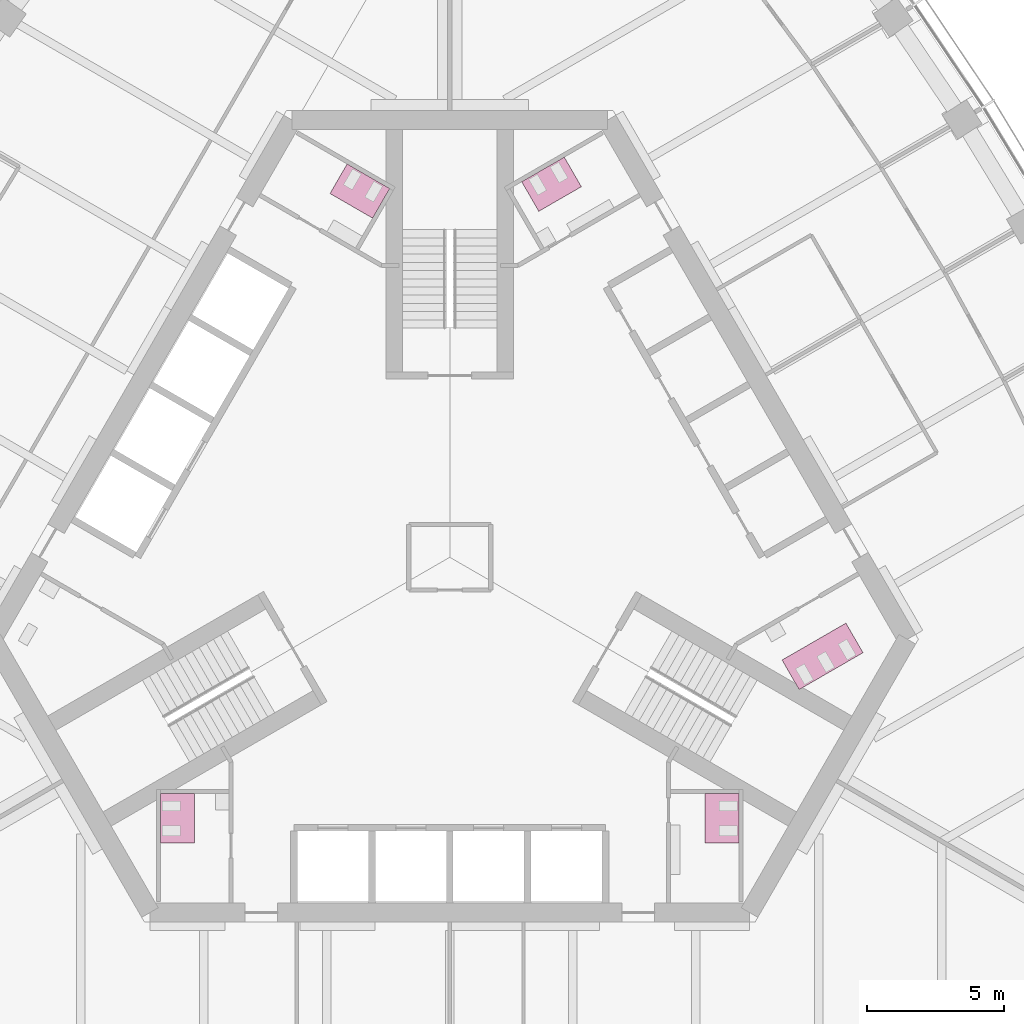
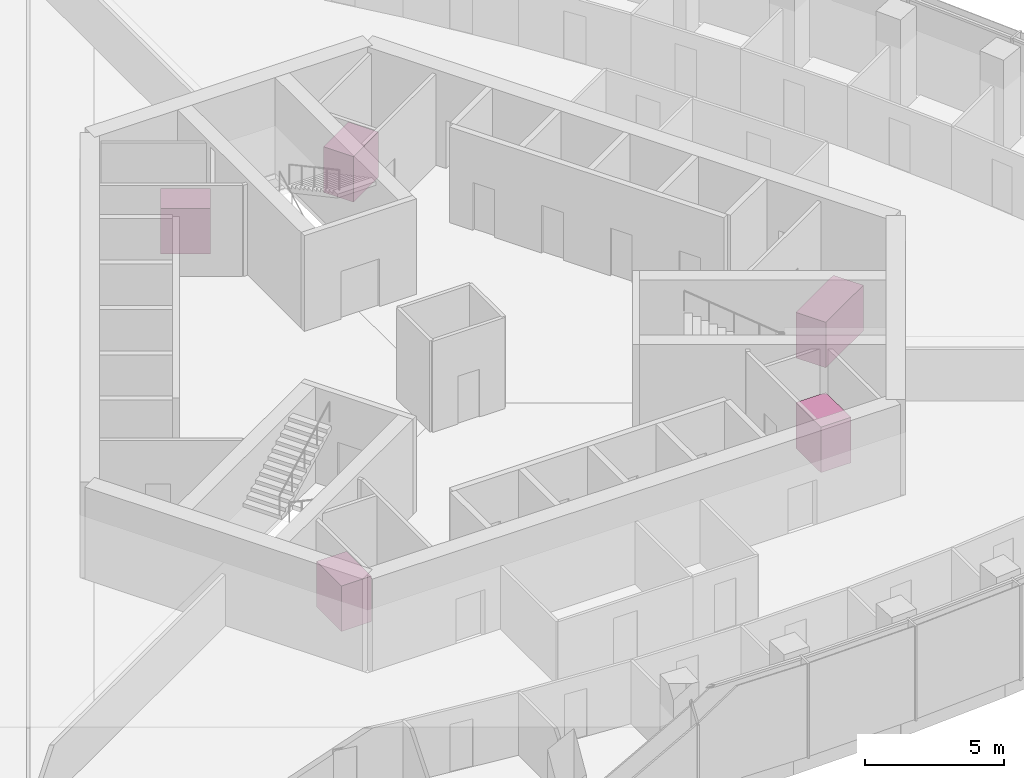
# One storey, part 20 of 20: 5 furniture elements.
"""IFC4 building model written with IfcOpenShell, lengths in metres."""

from ifc_helpers import new_model, si_unit, direction, frame, origin, place, context, subcontext, project, spatial, polyline, outline, extrude, material, type_object, element, save


model = new_model("IFC4")

# Units and contexts
model_context = context("Model", 3, precision=1e-05, world=origin(), true_north=direction((0.0, 1.0)))
body_context = subcontext(model_context, "Body", "Model", "MODEL_VIEW")
ifc_project = project(units=[si_unit("LENGTHUNIT", "METRE"), si_unit("AREAUNIT", "SQUARE_METRE"), si_unit("VOLUMEUNIT", "CUBIC_METRE"), si_unit("PLANEANGLEUNIT", "RADIAN"), si_unit("MASSUNIT", "GRAM", prefix="KILO")], contexts=[model_context])

# Site, building, storey
site_placement = place(None, origin())
site = spatial("IfcSite", under=ifc_project, at=site_placement, CompositionType="ELEMENT")
building_placement = place(site_placement, origin())
building = spatial("IfcBuilding", under=site, at=building_placement, Name="Trefoil Bronze Tower", CompositionType="ELEMENT")
storey_placement = place(building_placement, frame((0.0, 0.0, 231.699951171875)))
storey = spatial("IfcBuildingStorey", under=building, at=storey_placement, Name="L53", CompositionType="ELEMENT", Elevation=231.699951171875)

# Furniture
ifc_material_1 = material(Name="Compact laminate cubicles", Category="plastic")
furniture_type_1 = type_object("IfcFurnitureType", Name="WC cubicle range 2 cubicles", AssemblyPlace="FACTORY", PredefinedType="USERDEFINED", material=ifc_material_1)
furniture_1_placement = place(storey_placement, origin())
element("IfcFurniture", 1, at=furniture_1_placement, inside=storey, type_object=furniture_type_1, Name="WC cubicle range WC (men) L53", ObjectType="WC cubicle range", PredefinedType="USERDEFINED", context=body_context, shape_type="SweptSolid", body=[
    extrude(outline(polyline([(9.3349609375, -8.64990234375), (10.5849609375, -8.64990234375), (10.5849609375, -10.449951171875), (9.3349609375, -10.449951171875), (9.3349609375, -8.64990234375)])), origin(), (0.0, 0.0, 1.0), 2.0),
])
furniture_2_placement = place(storey_placement, origin())
element("IfcFurniture", 2, at=furniture_2_placement, inside=storey, type_object=furniture_type_1, Name="WC cubicle range WC (men) L53", ObjectType="WC cubicle range", PredefinedType="USERDEFINED", context=body_context, shape_type="SweptSolid", body=[
    extrude(outline(polyline([(3.256591796875, 12.659423828125), (2.631591796875, 13.741943359375), (4.1904296875, 14.641845703125), (4.8154296875, 13.559326171875), (3.256591796875, 12.659423828125)])), origin(), (0.0, 0.0, 1.0), 2.0),
])
furniture_3_placement = place(storey_placement, origin())
element("IfcFurniture", 3, at=furniture_3_placement, inside=storey, type_object=furniture_type_1, Name="WC cubicle range WC (women) L53", ObjectType="WC cubicle range", PredefinedType="USERDEFINED", context=body_context, shape_type="SweptSolid", body=[
    extrude(outline(polyline([(-2.82373046875, 12.409423828125), (-2.19873046875, 13.491943359375), (-3.757568359375, 14.391845703125), (-4.382568359375, 13.309326171875), (-2.82373046875, 12.409423828125)])), origin(), (0.0, 0.0, 1.0), 2.0),
])
furniture_4_placement = place(storey_placement, origin())
element("IfcFurniture", 4, at=furniture_4_placement, inside=storey, type_object=furniture_type_1, Name="WC cubicle range WC (women) L53", ObjectType="WC cubicle range", PredefinedType="USERDEFINED", context=body_context, shape_type="SweptSolid", body=[
    extrude(outline(polyline([(-9.3349609375, -8.64990234375), (-10.5849609375, -8.64990234375), (-10.5849609375, -10.449951171875), (-9.3349609375, -10.449951171875), (-9.3349609375, -8.64990234375)])), origin(), (0.0, 0.0, 1.0), 2.0),
])
ifc_material_2 = material(Name="Compact laminate cubicles", Category="plastic")
furniture_type_2 = type_object("IfcFurnitureType", Name="WC cubicle range 3 cubicles", AssemblyPlace="FACTORY", PredefinedType="USERDEFINED", material=ifc_material_2)
furniture_5_placement = place(storey_placement, origin())
element("IfcFurniture", 5, at=furniture_5_placement, inside=storey, type_object=furniture_type_2, Name="WC cubicle range WC (women) L53", ObjectType="WC cubicle range", PredefinedType="USERDEFINED", context=body_context, shape_type="SweptSolid", body=[
    extrude(outline(polyline([(12.15869140625, -3.75927734375), (12.78369140625, -4.841796875), (15.121826171875, -3.491943359375), (14.496826171875, -2.409423828125), (12.15869140625, -3.75927734375)])), origin(), (0.0, 0.0, 1.0), 2.0),
])

save(model, "model.ifc")
